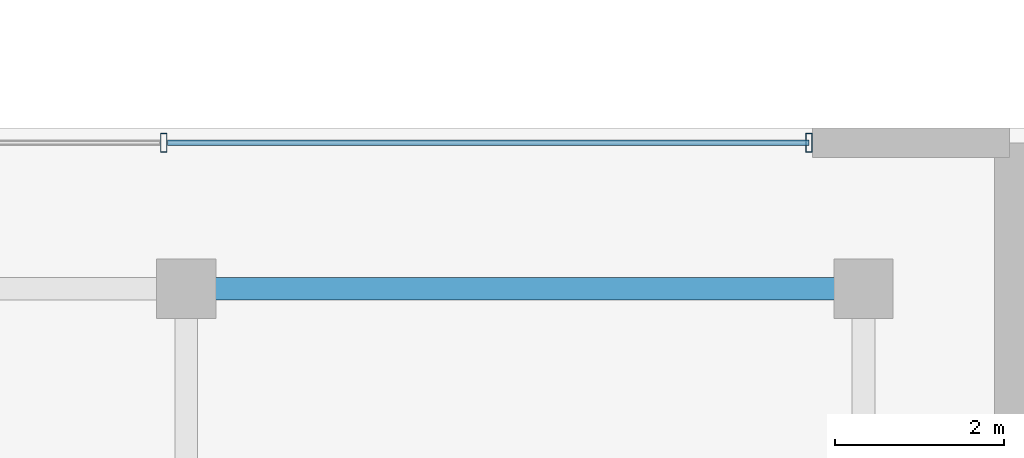
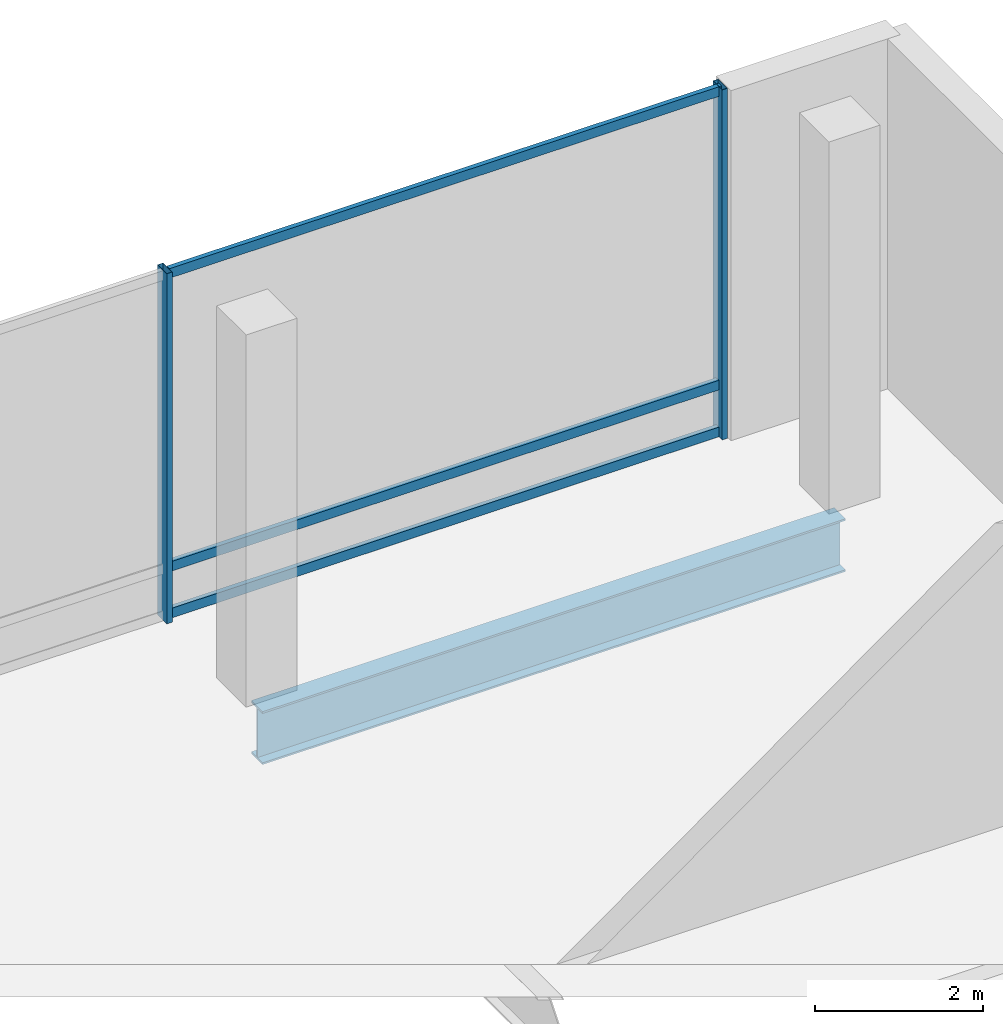
# One storey, part 18 of 32: 5 members, 1 beam, 1 element without a shape of its own.
"""IFC4 building model written with IfcOpenShell, lengths in metres."""

from ifc_helpers import new_model, si_unit, direction, frame, origin, origin_2d, place, context, subcontext, project, spatial, hollow_rectangle, i_section, extrude, material, layer, layer_set, material_profile, profile_set, type_object, element, aggregate, save


model = new_model("IFC4")

# Units and contexts
model_context = context("Model", 3, precision=1e-05, world=origin(), true_north=direction((0.0, 1.0)))
body_context = subcontext(model_context, "Body", "Model", "MODEL_VIEW")
ifc_project = project(units=[si_unit("LENGTHUNIT", "METRE"), si_unit("AREAUNIT", "SQUARE_METRE"), si_unit("VOLUMEUNIT", "CUBIC_METRE"), si_unit("PLANEANGLEUNIT", "RADIAN"), si_unit("MASSUNIT", "GRAM", prefix="KILO")], contexts=[model_context])

# Site, building, storey
site_placement = place(None, origin())
site = spatial("IfcSite", under=ifc_project, at=site_placement, CompositionType="ELEMENT")
building_placement = place(site_placement, origin())
building = spatial("IfcBuilding", under=site, at=building_placement, Name="Barlavira Tower and Art Museum", CompositionType="ELEMENT")
storey_placement = place(building_placement, frame((0.0, 0.0, 6.0)))
storey = spatial("IfcBuildingStorey", under=building, at=storey_placement, Name="L01", CompositionType="ELEMENT", Elevation=6.0)

# Curtain wall, members
ifc_material_1 = material(Name="Low-iron coastal laminated glass", Category="glass")
ifc_layer = layer(ifc_material_1, 0.199951171875, Name="Low-iron coastal laminated glass")
ifc_layer_set = layer_set([ifc_layer], Name="Low-iron coastal laminated glass")
curtain_wall_type = type_object("IfcCurtainWallType", Name="Coastal Art Museum North-Light Curtain Wall", PredefinedType="NOTDEFINED", material=ifc_layer_set)
curtain_wall_placement = place(storey_placement, origin())
curtain_wall = element("IfcCurtainWall", 1, at=curtain_wall_placement, inside=storey, type_object=curtain_wall_type, Name="L01 Curtain Wall CW6-MUS-L01-N", PredefinedType="NOTDEFINED")
ifc_material_2 = material(Name="Pale anodised aluminium", Category="aluminium")
ifc_material_profile_1 = material_profile(ifc_material_2, hollow_rectangle(XDim=0.074951171875, YDim=0.219970703125, WallThickness=0.0048828125, at=origin_2d()), Name="ALU-MULL 75x220x5")
ifc_profile_set_1 = profile_set([ifc_material_profile_1], Name="Pale anodised aluminium")
member_type_1 = type_object("IfcMemberType", Name="Curtain Wall Heavy Pale-Metal Mullion 75x220", PredefinedType="MULLION", material=ifc_profile_set_1)
member_1_placement = place(storey_placement, frame((54.955078125, 23.824951171875, 0.0), z_axis=(0.0, 0.0, 1.0), x_axis=(-1.0, 0.0, 0.0)))
member_1 = element("IfcMember", 2, at=member_1_placement, type_object=member_type_1, Name="CW6-MUS-L01-N Mullion 0", PredefinedType="MULLION", context=body_context, shape_type="SweptSolid", body=[
    extrude(hollow_rectangle(XDim=0.074951171875, YDim=0.219970703125, WallThickness=0.0048828125, at=origin_2d()), origin(), (0.0, 0.0, 1.0), 5.080078125),
])
member_2_placement = place(storey_placement, frame((47.333251953125, 23.824951171875, 0.0), z_axis=(0.0, 0.0, 1.0), x_axis=(-1.0, 0.0, 0.0)))
member_2 = element("IfcMember", 3, at=member_2_placement, type_object=member_type_1, Name="CW6-MUS-L01-N Mullion 1", PredefinedType="MULLION", context=body_context, shape_type="SweptSolid", body=[
    extrude(hollow_rectangle(XDim=0.074951171875, YDim=0.219970703125, WallThickness=0.0048828125, at=origin_2d()), origin(), (0.0, 0.0, 1.0), 5.080078125),
])
ifc_material_profile_2 = material_profile(ifc_material_2, hollow_rectangle(XDim=0.06494140625, YDim=0.139892578125, WallThickness=0.00390625, at=origin_2d()), Name="ALU-TRAN 65x140x4")
ifc_profile_set_2 = profile_set([ifc_material_profile_2], Name="Pale anodised aluminium")
member_type_2 = type_object("IfcMemberType", Name="Curtain Wall Pale-Metal Transom 65x140", PredefinedType="USERDEFINED", material=ifc_profile_set_2)
member_3_placement = place(storey_placement, frame((54.955078125, 23.824951171875, 0.070068359375), z_axis=(-1.0, 0.0, 0.0), x_axis=(0.0, -1.0, 0.0)))
member_3 = element("IfcMember", 4, at=member_3_placement, type_object=member_type_2, Name="CW6-MUS-L01-N Transom 0.1", ObjectType="TRANSOM", PredefinedType="USERDEFINED", context=body_context, shape_type="SweptSolid", body=[
    extrude(hollow_rectangle(XDim=0.06494140625, YDim=0.139892578125, WallThickness=0.00390625, at=origin_2d()), origin(), (0.0, 0.0, 1.0), 7.57666015625),
])
member_4_placement = place(storey_placement, frame((54.955078125, 23.824951171875, 0.75), z_axis=(-1.0, 0.0, 0.0), x_axis=(0.0, -1.0, 0.0)))
member_4 = element("IfcMember", 5, at=member_4_placement, type_object=member_type_2, Name="CW6-MUS-L01-N Transom 0.2", ObjectType="TRANSOM", PredefinedType="USERDEFINED", context=body_context, shape_type="SweptSolid", body=[
    extrude(hollow_rectangle(XDim=0.06494140625, YDim=0.139892578125, WallThickness=0.00390625, at=origin_2d()), origin(), (0.0, 0.0, 1.0), 7.57666015625),
])
member_5_placement = place(storey_placement, frame((54.955078125, 23.824951171875, 5.010009765625), z_axis=(-1.0, 0.0, 0.0), x_axis=(0.0, -1.0, 0.0)))
member_5 = element("IfcMember", 6, at=member_5_placement, type_object=member_type_2, Name="CW6-MUS-L01-N Transom 0.3", ObjectType="TRANSOM", PredefinedType="USERDEFINED", context=body_context, shape_type="SweptSolid", body=[
    extrude(hollow_rectangle(XDim=0.06494140625, YDim=0.139892578125, WallThickness=0.00390625, at=origin_2d()), origin(), (0.0, 0.0, 1.0), 7.57666015625),
])
aggregate(curtain_wall, [member_1, member_2, member_3, member_4, member_5])

# Beam
ifc_material_3 = material(Name="Steel S355", Category="steel")
ifc_material_profile_3 = material_profile(ifc_material_3, i_section(OverallWidth=0.26904296875, OverallDepth=0.76806640625, WebThickness=0.016845703125, FlangeThickness=0.026611328125, at=origin_2d()), Name="W760x220.0")
ifc_profile_set_3 = profile_set([ifc_material_profile_3], Name="Steel S355")
beam_type = type_object("IfcBeamType", Name="Museum Long-Span Gallery Girder W760x220 Steel S355", PredefinedType="BEAM", material=ifc_profile_set_3)
beam_placement = place(storey_placement, frame((47.60009765625, 22.10009765625, -0.7041015625), z_axis=(1.0, 0.0, 0.0), x_axis=(0.0, 1.0, 0.0)))
element("IfcBeam", 7, at=beam_placement, inside=storey, type_object=beam_type, Name="L01 Museum Girder X 6-3", PredefinedType="BEAM", context=body_context, shape_type="SweptSolid", body=[
    extrude(i_section(OverallWidth=0.26904296875, OverallDepth=0.76806640625, WebThickness=0.016845703125, FlangeThickness=0.026611328125, at=origin_2d()), origin(), (0.0, 0.0, 1.0), 8.0),
])

save(model, "model.ifc")
